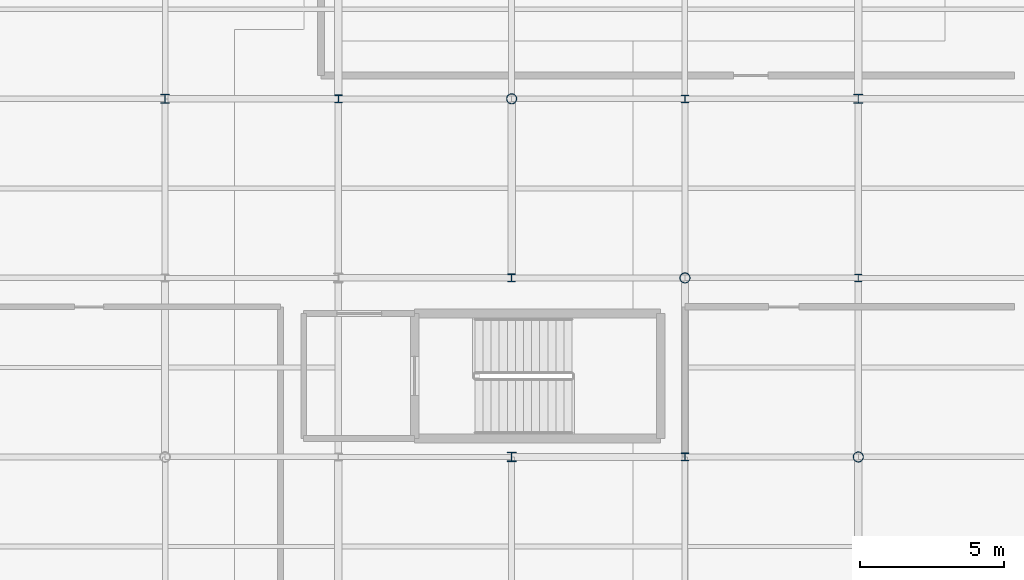
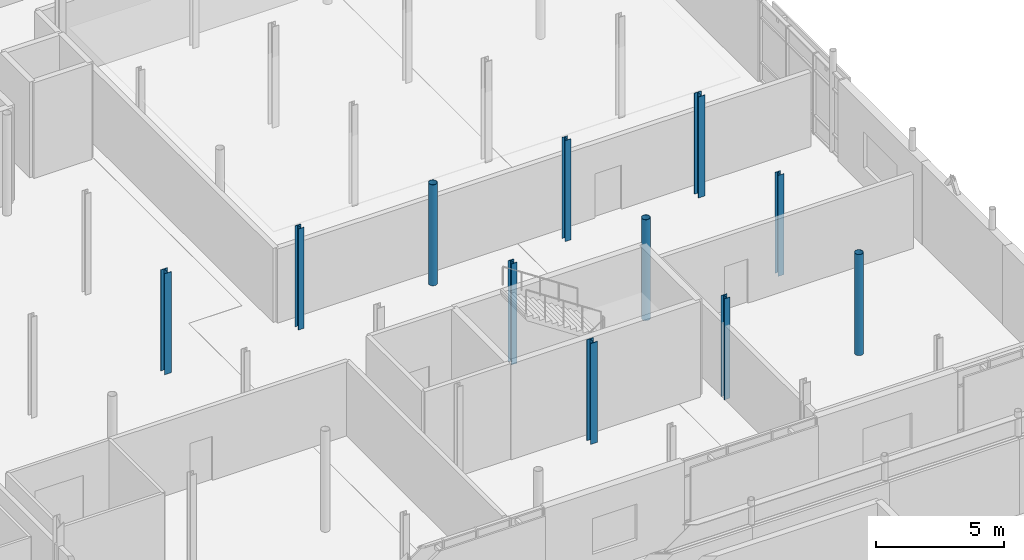
# One storey, part 14 of 84: 11 columns.
"""IFC4 building model written with IfcOpenShell, lengths in metres."""

from ifc_helpers import new_model, si_unit, direction, frame, origin, origin_2d, place, context, subcontext, project, spatial, hollow_circle, i_section, extrude, material, material_profile, profile_set, type_object, element, save


model = new_model("IFC4")

# Units and contexts
model_context = context("Model", 3, precision=1e-05, world=origin(), true_north=direction((0.0, 1.0)))
body_context = subcontext(model_context, "Body", "Model", "MODEL_VIEW")
ifc_project = project(units=[si_unit("LENGTHUNIT", "METRE"), si_unit("AREAUNIT", "SQUARE_METRE"), si_unit("VOLUMEUNIT", "CUBIC_METRE"), si_unit("PLANEANGLEUNIT", "RADIAN"), si_unit("MASSUNIT", "GRAM", prefix="KILO")], contexts=[model_context])

# Site, building, storey
site_placement = place(None, origin())
site = spatial("IfcSite", under=ifc_project, at=site_placement, CompositionType="ELEMENT")
building_placement = place(site_placement, origin())
building = spatial("IfcBuilding", under=site, at=building_placement, Name="Mirzam Square Science Centre", CompositionType="ELEMENT")
storey_placement = place(building_placement, frame((0.0, 0.0, 10.800048828125)))
storey = spatial("IfcBuildingStorey", under=building, at=storey_placement, Name="L02", CompositionType="ELEMENT", Elevation=10.800048828125)

# Columns
ifc_material = material(Name="Steel S355", Category="steel")
ifc_material_profile_1 = material_profile(ifc_material, hollow_circle(Radius=0.177734375, WallThickness=0.012451171875, at=origin_2d()), Name="355.6x12.5CHS")
ifc_profile_set_1 = profile_set([ifc_material_profile_1], Name="Steel S355")
column_type_1 = type_object("IfcColumnType", Name="COL-CHS355", PredefinedType="COLUMN", material=ifc_profile_set_1)
for number, where, z_axis, x_axis, name in (
    (1, (144.0, 62.0, 0.0), (0.0, 0.0, 1.0), (1.0, 0.0, 0.0), "L02 column G25-11"),
    (2, (150.0, 55.800048828125, 0.0), (0.0, 0.0, 1.0), (1.0, 0.0, 0.0), "L02 column G26-10"),
    (3, (156.0, 49.60009765625, 0.0), (0.0, 0.0, 1.0), (1.0, 0.0, 0.0), "L02 column G27-09"),
):
    element("IfcColumn", number, at=place(storey_placement, frame(where, z_axis=z_axis, x_axis=x_axis)), inside=storey, type_object=column_type_1, Name=name, PredefinedType="COLUMN", context=body_context, shape_type="SweptSolid", body=[
        extrude(hollow_circle(Radius=0.177734375, WallThickness=0.012451171875, at=origin_2d()), origin(), (0.0, 0.0, 1.0), 4.800048828125),
    ])
ifc_material_profile_2 = material_profile(ifc_material, i_section(OverallWidth=0.25634765625, OverallDepth=0.26025390625, WebThickness=0.01025390625, FlangeThickness=0.017333984375, FilletRadius=0.0126953125, at=origin_2d()), Name="254x254x89UC")
ifc_profile_set_2 = profile_set([ifc_material_profile_2], Name="Steel S355")
column_type_2 = type_object("IfcColumnType", Name="COL-UC254A", PredefinedType="COLUMN", material=ifc_profile_set_2)
for number, where, z_axis, x_axis, name in (
    (4, (150.0, 62.0, 0.0), (0.0, 0.0, 1.0), (1.0, 0.0, 0.0), "L02 column G26-11"),
    (5, (156.0, 55.800048828125, 0.0), (0.0, 0.0, 1.0), (1.0, 0.0, 0.0), "L02 column G27-10"),
):
    element("IfcColumn", number, at=place(storey_placement, frame(where, z_axis=z_axis, x_axis=x_axis)), inside=storey, type_object=column_type_2, Name=name, PredefinedType="COLUMN", context=body_context, shape_type="SweptSolid", body=[
        extrude(i_section(OverallWidth=0.25634765625, OverallDepth=0.26025390625, WebThickness=0.01025390625, FlangeThickness=0.017333984375, FilletRadius=0.0126953125, at=origin_2d()), origin(), (0.0, 0.0, 1.0), 4.800048828125),
    ])
ifc_material_profile_3 = material_profile(ifc_material, i_section(OverallWidth=0.26123046875, OverallDepth=0.2763671875, WebThickness=0.015380859375, FlangeThickness=0.025390625, FilletRadius=0.0126953125, at=origin_2d()), Name="254x254x132UC")
ifc_profile_set_3 = profile_set([ifc_material_profile_3], Name="Steel S355")
column_type_3 = type_object("IfcColumnType", Name="COL-UC254B", PredefinedType="COLUMN", material=ifc_profile_set_3)
for number, where, z_axis, x_axis, name in (
    (6, (138.0, 62.0, 0.0), (0.0, 0.0, 1.0), (1.0, 0.0, 0.0), "L02 column G24-11"),
    (7, (144.0, 55.800048828125, 0.0), (0.0, 0.0, 1.0), (1.0, 0.0, 0.0), "L02 column G25-10"),
    (8, (150.0, 49.60009765625, 0.0), (0.0, 0.0, 1.0), (1.0, 0.0, 0.0), "L02 column G26-09"),
):
    element("IfcColumn", number, at=place(storey_placement, frame(where, z_axis=z_axis, x_axis=x_axis)), inside=storey, type_object=column_type_3, Name=name, PredefinedType="COLUMN", context=body_context, shape_type="SweptSolid", body=[
        extrude(i_section(OverallWidth=0.26123046875, OverallDepth=0.2763671875, WebThickness=0.015380859375, FlangeThickness=0.025390625, FilletRadius=0.0126953125, at=origin_2d()), origin(), (0.0, 0.0, 1.0), 4.800048828125),
    ])
ifc_material_profile_4 = material_profile(ifc_material, i_section(OverallWidth=0.30908203125, OverallDepth=0.320556640625, WebThickness=0.013916015625, FlangeThickness=0.021728515625, FilletRadius=0.01513671875, at=origin_2d()), Name="305x305x137UC")
ifc_profile_set_4 = profile_set([ifc_material_profile_4], Name="Steel S355")
column_type_4 = type_object("IfcColumnType", Name="COL-UC305A", PredefinedType="COLUMN", material=ifc_profile_set_4)
for number, where, z_axis, x_axis, name in (
    (9, (132.0, 62.0, 0.0), (0.0, 0.0, 1.0), (1.0, 0.0, 0.0), "L02 column G23-11"),
    (10, (144.0, 49.60009765625, 0.0), (0.0, 0.0, 1.0), (1.0, 0.0, 0.0), "L02 column G25-09"),
    (11, (156.0, 62.0, 0.0), (0.0, 0.0, 1.0), (1.0, 0.0, 0.0), "L02 column G27-11"),
):
    element("IfcColumn", number, at=place(storey_placement, frame(where, z_axis=z_axis, x_axis=x_axis)), inside=storey, type_object=column_type_4, Name=name, PredefinedType="COLUMN", context=body_context, shape_type="SweptSolid", body=[
        extrude(i_section(OverallWidth=0.30908203125, OverallDepth=0.320556640625, WebThickness=0.013916015625, FlangeThickness=0.021728515625, FilletRadius=0.01513671875, at=origin_2d()), origin(), (0.0, 0.0, 1.0), 4.800048828125),
    ])

save(model, "model.ifc")
